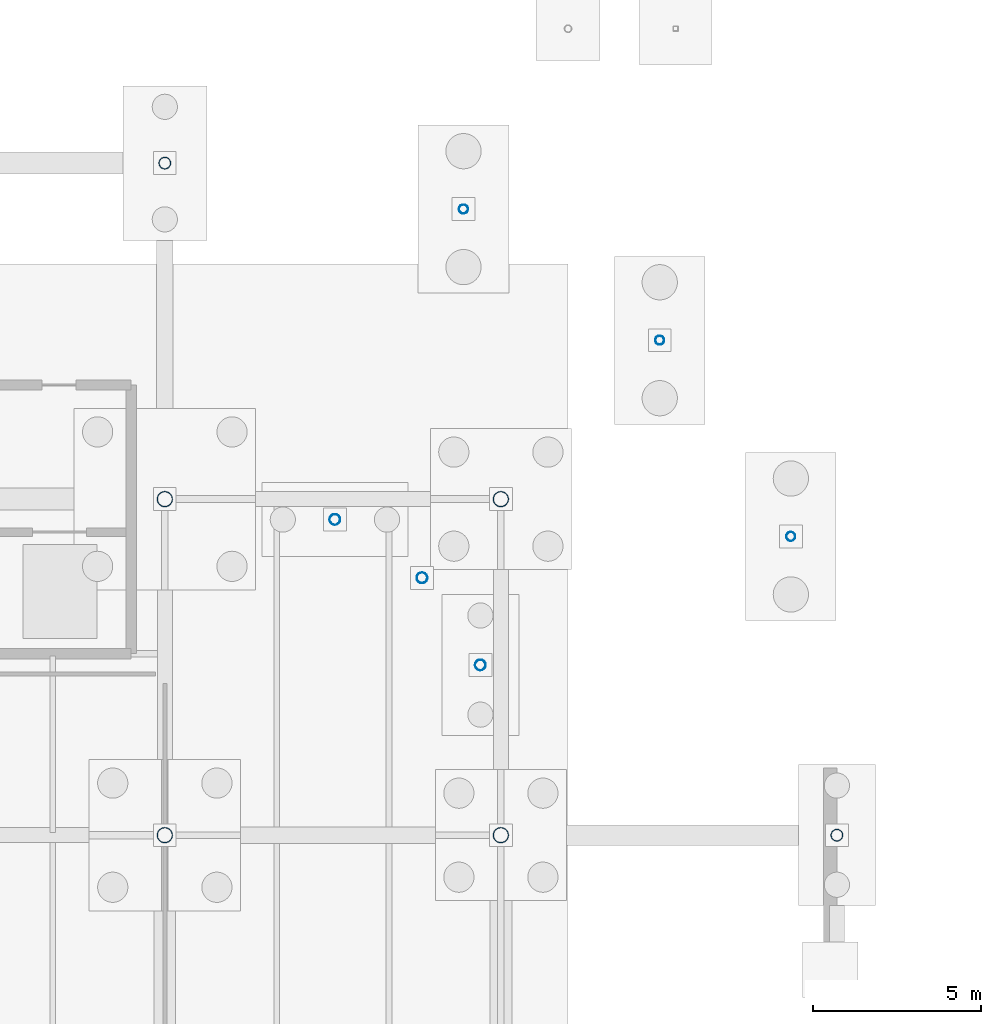
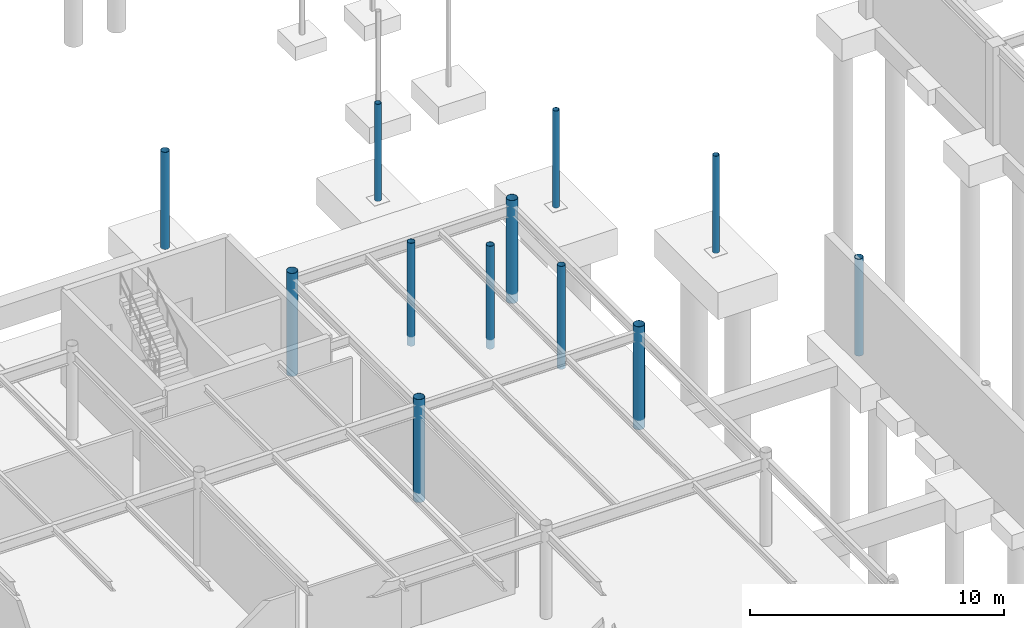
# One storey, part 46 of 75: 12 columns.
"""IFC4 building model written with IfcOpenShell, lengths in metres."""

from ifc_helpers import new_model, si_unit, derived_unit, direction, frame, origin, origin_2d_with_axis, place, context, subcontext, project, spatial, hollow_circle, extrude, material, material_profile, profile_set, type_object, element, save


model = new_model("IFC4")

# Units and contexts
model_context = context("Model", 3, precision=1e-05, world=origin(), true_north=direction((0.0, 1.0)))
body_context = subcontext(model_context, "Body", "Model", "MODEL_VIEW")
ifc_project = project(units=[si_unit("LENGTHUNIT", "METRE"), si_unit("AREAUNIT", "SQUARE_METRE"), si_unit("VOLUMEUNIT", "CUBIC_METRE"), si_unit("PLANEANGLEUNIT", "RADIAN"), si_unit("MASSUNIT", "GRAM", prefix="KILO"), derived_unit("THERMALTRANSMITTANCEUNIT", [(si_unit("POWERUNIT", "WATT"), 1), (si_unit("LENGTHUNIT", "METRE"), -2), (si_unit("THERMODYNAMICTEMPERATUREUNIT", "KELVIN"), -1)])], contexts=[model_context])

# Site, building, storey
site_placement = place(None, origin())
site = spatial("IfcSite", under=ifc_project, at=site_placement, CompositionType="ELEMENT")
building_placement = place(site_placement, origin())
building = spatial("IfcBuilding", under=site, at=building_placement, Name="Cinnabar Yard Market Hall", CompositionType="ELEMENT")
storey_placement = place(building_placement, frame((0.0, 0.0, -4.5)))
storey = spatial("IfcBuildingStorey", under=building, at=storey_placement, Name="B1", CompositionType="ELEMENT", Elevation=-4.5)

# Columns
ifc_material = material(Name="Spotted-gum glulam-clad steel Grade 350 (350 MPa)", Category="steel")
ifc_material_profile_1 = material_profile(ifc_material, hollow_circle(Radius=0.228515625, WallThickness=0.0126953125, at=origin_2d_with_axis()), Name="457.0x12.7CHS")
ifc_profile_set_1 = profile_set([ifc_material_profile_1], Name="Spotted-gum glulam-clad steel Grade 350 (350 MPa)")
column_type_1 = type_object("IfcColumnType", Name="COL-C01", PredefinedType="COLUMN", material=ifc_profile_set_1)
for number, where, z_axis, x_axis, name in (
    (1, (146.0, 54.0, -0.449951171875), (0.0, 0.0, 1.0), (1.0, 0.0, 0.0), "Tree Column V1I-08-04 B1"),
    (2, (146.0, 64.0, -0.449951171875), (0.0, 0.0, 1.0), (1.0, 0.0, 0.0), "Tree Column V1I-08-05 B1"),
    (3, (156.0, 54.0, -0.449951171875), (0.0, 0.0, 1.0), (1.0, 0.0, 0.0), "Tree Column V1I-09-04 B1"),
    (4, (156.0, 64.0, -0.449951171875), (0.0, 0.0, 1.0), (1.0, 0.0, 0.0), "Tree Column V1I-09-05 B1"),
):
    element("IfcColumn", number, at=place(storey_placement, frame(where, z_axis=z_axis, x_axis=x_axis)), inside=storey, type_object=column_type_1, Name=name, PredefinedType="COLUMN", context=body_context, shape_type="SweptSolid", body=[
        extrude(hollow_circle(Radius=0.228515625, WallThickness=0.0126953125, at=origin_2d_with_axis()), origin(), (0.0, 0.0, 1.0), 4.949951171875),
    ])
ifc_material_profile_2 = material_profile(ifc_material, hollow_circle(Radius=0.177734375, WallThickness=0.0126953125, at=origin_2d_with_axis()), Name="355.6x12.7CHS")
ifc_profile_set_2 = profile_set([ifc_material_profile_2], Name="Spotted-gum glulam-clad steel Grade 350 (350 MPa)")
column_type_2 = type_object("IfcColumnType", Name="COL-C02", PredefinedType="COLUMN", material=ifc_profile_set_2)
for number, where, z_axis, x_axis, name in (
    (5, (146.0, 74.0, -0.449951171875), (0.0, 0.0, 1.0), (1.0, 0.0, 0.0), "Tree Column V1N-07 B1"),
    (6, (166.0, 54.0, -0.449951171875), (0.0, 0.0, 1.0), (1.0, 0.0, 0.0), "Tree Column V1E-03 B1"),
):
    element("IfcColumn", number, at=place(storey_placement, frame(where, z_axis=z_axis, x_axis=x_axis)), inside=storey, type_object=column_type_2, Name=name, PredefinedType="COLUMN", context=body_context, shape_type="SweptSolid", body=[
        extrude(hollow_circle(Radius=0.177734375, WallThickness=0.0126953125, at=origin_2d_with_axis()), origin(), (0.0, 0.0, 1.0), 4.669921875),
    ])
ifc_material_profile_3 = material_profile(ifc_material, hollow_circle(Radius=0.161865234375, WallThickness=0.009521484375, at=origin_2d_with_axis()), Name="323.9x9.5CHS")
ifc_profile_set_3 = profile_set([ifc_material_profile_3], Name="Spotted-gum glulam-clad steel Grade 350 (350 MPa)")
column_type_3 = type_object("IfcColumnType", Name="COL-C03", PredefinedType="COLUMN", material=ifc_profile_set_3)
for number, where, z_axis, x_axis, name in (
    (7, (155.39111328125, 59.0615234375, -0.449951171875), (0.0, 0.0, 1.0), (1.0, 0.0, 0.0), "Tree Column V1IC-NE2 B1"),
    (8, (153.656982421875, 61.656982421875, -0.449951171875), (0.0, 0.0, 1.0), (1.0, 0.0, 0.0), "Tree Column V1IC-NE4 B1"),
    (9, (151.0615234375, 63.39111328125, -0.449951171875), (0.0, 0.0, 1.0), (1.0, 0.0, 0.0), "Tree Column V1IC-NE6 B1"),
):
    element("IfcColumn", number, at=place(storey_placement, frame(where, z_axis=z_axis, x_axis=x_axis)), inside=storey, type_object=column_type_3, Name=name, PredefinedType="COLUMN", context=body_context, shape_type="SweptSolid", body=[
        extrude(hollow_circle(Radius=0.161865234375, WallThickness=0.009521484375, at=origin_2d_with_axis()), origin(), (0.0, 0.0, 1.0), 4.949951171875),
    ])
ifc_material_profile_4 = material_profile(ifc_material, hollow_circle(Radius=0.136474609375, WallThickness=0.00927734375, at=origin_2d_with_axis()), Name="273.1x9.3CHS")
ifc_profile_set_4 = profile_set([ifc_material_profile_4], Name="Spotted-gum glulam-clad steel Grade 350 (350 MPa)")
column_type_4 = type_object("IfcColumnType", Name="COL-C04", PredefinedType="COLUMN", material=ifc_profile_set_4)
for number, where, z_axis, x_axis, name in (
    (10, (164.6298828125, 62.88818359375, -0.449951171875), (0.0, 0.0, 1.0), (1.0, 0.0, 0.0), "Tree Column V1C-NE2 B1"),
    (11, (160.727783203125, 68.727783203125, -0.449951171875), (0.0, 0.0, 1.0), (1.0, 0.0, 0.0), "Tree Column V1C-NE4 B1"),
    (12, (154.88818359375, 72.6298828125, -0.449951171875), (0.0, 0.0, 1.0), (1.0, 0.0, 0.0), "Tree Column V1C-NE6 B1"),
):
    element("IfcColumn", number, at=place(storey_placement, frame(where, z_axis=z_axis, x_axis=x_axis)), inside=storey, type_object=column_type_4, Name=name, PredefinedType="COLUMN", context=body_context, shape_type="SweptSolid", body=[
        extrude(hollow_circle(Radius=0.136474609375, WallThickness=0.00927734375, at=origin_2d_with_axis()), origin(), (0.0, 0.0, 1.0), 4.669921875),
    ])

save(model, "model.ifc")
